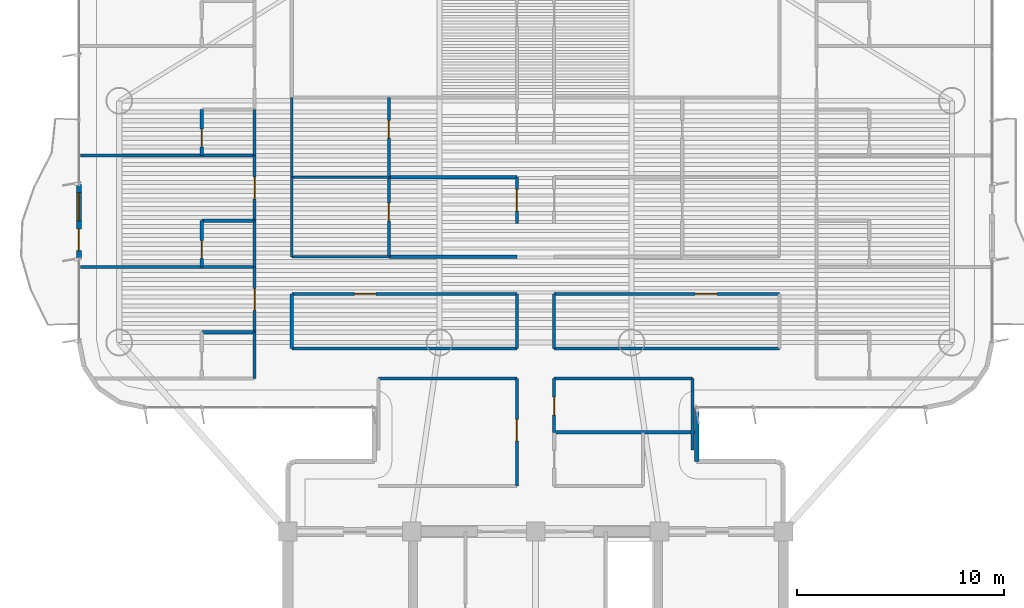
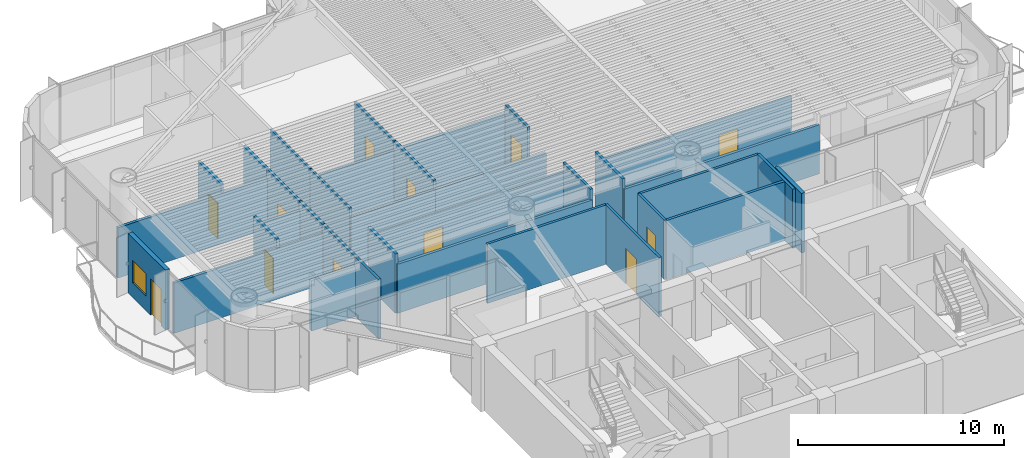
# One storey, part 10 of 17: 35 walls, 12 doors, 1 window, 13 openings.
"""IFC4 building model written with IfcOpenShell, lengths in metres."""

from ifc_helpers import new_model, si_unit, direction, frame, frame_2d, origin, origin_2d, place, context, subcontext, project, spatial, rectangle, extrude, source, transform, mapped, material, layer, layer_set, type_object, element, fill, save


model = new_model("IFC4")

# Units and contexts
model_context = context("Model", 3, precision=1e-05, world=origin(), true_north=direction((0.0, 1.0)))
body_context = subcontext(model_context, "Body", "Model", "MODEL_VIEW")
ifc_project = project(units=[si_unit("LENGTHUNIT", "METRE"), si_unit("AREAUNIT", "SQUARE_METRE"), si_unit("VOLUMEUNIT", "CUBIC_METRE"), si_unit("PLANEANGLEUNIT", "RADIAN"), si_unit("MASSUNIT", "GRAM", prefix="KILO")], contexts=[model_context])

# Site, building, storey
site_placement = place(None, origin())
site = spatial("IfcSite", under=ifc_project, at=site_placement, CompositionType="ELEMENT")
building_placement = place(site_placement, origin())
building = spatial("IfcBuilding", under=site, at=building_placement, Name="Brelvock Crest Care Tower", CompositionType="ELEMENT")
storey_placement = place(building_placement, frame((0.0, 0.0, 127.6201171875)))
storey = spatial("IfcBuildingStorey", under=building, at=storey_placement, Name="L32", CompositionType="ELEMENT", Elevation=127.6201171875)

# Wall, openings, door, window
ifc_material_1 = material(Name="Precast concrete N40 (40 MPa)", Category="concrete")
ifc_layer_1 = layer(ifc_material_1, 0.239990234375, Name="WL-EX1")
ifc_layer_set_1 = layer_set([ifc_layer_1], Name="Precast concrete N40 (40 MPa)")
wall_type_1 = type_object("IfcWallType", Name="WL-EX1", PredefinedType="SOLIDWALL", material=ifc_layer_set_1)
wall_1_placement = place(storey_placement, frame((13.89990234375, 31.199951171875, 0.0), z_axis=(0.0, 0.0, 1.0), x_axis=(0.0, 1.0, 0.0)))
wall_1 = element("IfcWall", 1, at=wall_1_placement, inside=storey, type_object=wall_type_1, Name="L32 Exterior Spandrel Wall WL-BAL-L32-W", PredefinedType="SOLIDWALL", context=body_context, shape_type="SweptSolid", body=[
    extrude(rectangle(XDim=3.60009765625, YDim=0.239990234375, at=frame_2d((1.800048828125, 0.0))), origin(), (0.0, 0.0, 1.0), 3.52978515625),
])
opening_1_placement = place(wall_1_placement, frame((0.39990234375, 0.0, 0.0)))
opening_1 = element("IfcOpeningElement", 2, at=opening_1_placement, cuts=wall_1, Name="Opening BD-1", PredefinedType="OPENING", context=body_context, shape_type="SweptSolid", body=[
    extrude(rectangle(XDim=1.050048828125, YDim=2.14990234375, at=origin_2d()), frame((0.52490234375, 0.1298828125, 1.074951171875), z_axis=(0.0, -1.0, 0.0), x_axis=(1.0, 0.0, 0.0)), (0.0, 0.0, 1.0), 0.260009765625),
])
opening_2_placement = place(wall_1_placement, frame((1.85009765625, 0.0, 0.85009765625)))
opening_2 = element("IfcOpeningElement", 3, at=opening_2_placement, cuts=wall_1, Name="Opening W-01", PredefinedType="OPENING", context=body_context, shape_type="SweptSolid", body=[
    extrude(rectangle(XDim=1.35009765625, YDim=1.35009765625, at=origin_2d()), frame((0.675048828125, 0.1298828125, 0.675048828125), z_axis=(0.0, -1.0, 0.0), x_axis=(1.0, 0.0, 0.0)), (0.0, 0.0, 1.0), 0.260009765625),
])
ifc_material_2 = material(Name="Dark Glass Double Glazed Low-E", Category="glass")
door_type_1 = type_object("IfcDoorType", Name="DR-BAL1", OperationType="NOTDEFINED", PredefinedType="DOOR", material=ifc_material_2)
shared_shape_1 = source(origin(), body_context, "Body", "SweptSolid", [
    extrude(rectangle(XDim=1.050048828125, YDim=2.14990234375, at=origin_2d()), frame((0.52490234375, 0.02490234375, 1.074951171875), z_axis=(0.0, -1.0, 0.0), x_axis=(1.0, 0.0, 0.0)), (0.0, 0.0, 1.0), 0.050048828125),
])
door_1_placement = place(opening_1_placement, origin())
door_1 = element("IfcDoor", 4, at=door_1_placement, inside=storey, type_object=door_type_1, Name="L32 W Wave Balcony Glazed Door", OperationType="SINGLE_SWING_LEFT", OverallHeight=2.14990234375, OverallWidth=1.050048828125, PredefinedType="DOOR", context=body_context, shape_type="MappedRepresentation", body=[
    mapped(shared_shape_1, transform((0.0, 0.0, 0.0), x_axis=(1.0, 0.0, 0.0), y_axis=(0.0, 1.0, 0.0), z_axis=(0.0, 0.0, 1.0), scale=1.0)),
])
fill(opening_1, door_1)
window_type = type_object("IfcWindowType", Name="WN-EX1", PartitioningType="SINGLE_PANEL", PredefinedType="WINDOW", material=ifc_material_2)
shared_shape_2 = source(origin(), body_context, "Body", "SweptSolid", [
    extrude(rectangle(XDim=1.35009765625, YDim=1.35009765625, at=origin_2d()), frame((0.675048828125, 0.030029296875, 0.675048828125), z_axis=(0.0, -1.0, 0.0), x_axis=(1.0, 0.0, 0.0)), (0.0, 0.0, 1.0), 0.06005859375),
])
window_placement = place(opening_2_placement, origin())
window = element("IfcWindow", 5, at=window_placement, inside=storey, type_object=window_type, Name="L32 W Suite Casement Window", OverallHeight=1.35009765625, OverallWidth=1.35009765625, PartitioningType="SINGLE_PANEL", PredefinedType="WINDOW", context=body_context, shape_type="MappedRepresentation", body=[
    mapped(shared_shape_2, transform((0.0, 0.0, 0.0), x_axis=(1.0, 0.0, 0.0), y_axis=(0.0, 1.0, 0.0), z_axis=(0.0, 0.0, 1.0), scale=1.0)),
])
fill(opening_2, window)

# Walls
ifc_layer_2 = layer(ifc_material_1, 0.215087890625, Name="WL-EX2")
ifc_layer_set_2 = layer_set([ifc_layer_2], Name="Precast concrete N40 (40 MPa)")
wall_type_2 = type_object("IfcWallType", Name="WL-EX2", PredefinedType="SOLIDWALL", material=ifc_layer_set_2)
wall_2_placement = place(storey_placement, frame((43.800048828125, 24.0, 0.0), z_axis=(0.0, 0.0, 1.0), x_axis=(0.0, -1.0, 0.0)))
element("IfcWall", 6, at=wall_2_placement, inside=storey, type_object=wall_type_2, Name="L32 Rounded Corner Wall 45", PredefinedType="SOLIDWALL", context=body_context, shape_type="SweptSolid", body=[
    extrude(rectangle(XDim=2.60009765625, YDim=0.215087890625, at=frame_2d((1.300048828125, 0.0))), origin(), (0.0, 0.0, 1.0), 3.52978515625),
])
ifc_material_3 = material(Name="Masonry Blockwork Acoustic Partition", Category="masonry")
ifc_layer_3 = layer(ifc_material_3, 0.14990234375, Name="WL-INT1")
ifc_layer_set_3 = layer_set([ifc_layer_3], Name="Masonry Blockwork Acoustic Partition")
wall_type_3 = type_object("IfcWallType", Name="WL-INT1", PredefinedType="PARTITIONING", material=ifc_layer_set_3)
for number, where, z_axis, x_axis, name in (
    (7, (28.39990234375, 25.39990234375, 0.0), (0.0, 0.0, 1.0), (1.0, 0.0, 0.0), "L32 Interior Wall WL-BX-L32-THW-N"),
    (8, (36.89990234375, 25.39990234375, 0.0), (0.0, 0.0, 1.0), (1.0, 0.0, 0.0), "L32 Interior Wall WL-BX-L32-THE2-N"),
):
    element("IfcWall", number, at=place(storey_placement, frame(where, z_axis=z_axis, x_axis=x_axis)), inside=storey, type_object=wall_type_3, Name=name, PredefinedType="PARTITIONING", context=body_context, shape_type="SweptSolid", body=[
        extrude(rectangle(XDim=6.7001953125, YDim=0.14990234375, at=frame_2d((3.35009765625, 0.0))), origin(), (0.0, 0.0, 1.0), 3.5),
    ])
for number, where, z_axis, x_axis, name in (
    (9, (24.199951171875, 26.85009765625, 0.0), (0.0, 0.0, 1.0), (1.0, 0.0, 0.0), "L32 Interior Wall WL-BX-L32-ISWM-S"),
    (10, (36.89990234375, 26.85009765625, 0.0), (0.0, 0.0, 1.0), (1.0, 0.0, 0.0), "L32 Interior Wall WL-BX-L32-ISEM-S"),
):
    element("IfcWall", number, at=place(storey_placement, frame(where, z_axis=z_axis, x_axis=x_axis)), inside=storey, type_object=wall_type_3, Name=name, PredefinedType="PARTITIONING", context=body_context, shape_type="SweptSolid", body=[
        extrude(rectangle(XDim=10.900146484375, YDim=0.14990234375, at=frame_2d((5.4501953125, 0.0))), origin(), (0.0, 0.0, 1.0), 2.90283203125),
    ])

# Wall, opening, door
wall_3_placement = place(storey_placement, frame((24.199951171875, 29.5, 0.0), z_axis=(0.0, 0.0, 1.0), x_axis=(1.0, 0.0, 0.0)))
wall_3 = element("IfcWall", 11, at=wall_3_placement, inside=storey, type_object=wall_type_3, Name="L32 Interior Wall WL-RM-L32-ISWM", PredefinedType="PARTITIONING", context=body_context, shape_type="SweptSolid", body=[
    extrude(rectangle(XDim=10.900146484375, YDim=0.14990234375, at=frame_2d((5.4501953125, 0.0))), origin(), (0.0, 0.0, 1.0), 2.98193359375),
])
opening_3_placement = place(wall_3_placement, frame((3.02490234375, 0.0, 0.0)))
opening_3 = element("IfcOpeningElement", 12, at=opening_3_placement, cuts=wall_3, Name="Opening CD-1", PredefinedType="OPENING", context=body_context, shape_type="SweptSolid", body=[
    extrude(rectangle(XDim=1.050048828125, YDim=2.10009765625, at=origin_2d()), frame((0.52490234375, 0.0849609375, 1.050048828125), z_axis=(0.0, -1.0, 0.0), x_axis=(1.0, 0.0, 0.0)), (0.0, 0.0, 1.0), 0.169921875),
])
ifc_material_4 = material(Name="Engineered Hardwood Timber", Category="wood")
door_type_2 = type_object("IfcDoorType", Name="DR-CARE1", OperationType="NOTDEFINED", PredefinedType="DOOR", material=ifc_material_4)
shared_shape_3 = source(origin(), body_context, "Body", "SweptSolid", [
    extrude(rectangle(XDim=1.050048828125, YDim=2.10009765625, at=origin_2d()), frame((0.52490234375, 0.02490234375, 1.050048828125), z_axis=(0.0, -1.0, 0.0), x_axis=(1.0, 0.0, 0.0)), (0.0, 0.0, 1.0), 0.050048828125),
])
door_2_placement = place(opening_3_placement, origin())
door_2 = element("IfcDoor", 13, at=door_2_placement, inside=storey, type_object=door_type_2, Name="L32 Sub-Acute Observation Ward West Door ISWM", OperationType="SINGLE_SWING_LEFT", OverallHeight=2.10009765625, OverallWidth=1.050048828125, PredefinedType="DOOR", context=body_context, shape_type="MappedRepresentation", body=[
    mapped(shared_shape_3, transform((0.0, 0.0, 0.0), x_axis=(1.0, 0.0, 0.0), y_axis=(0.0, 1.0, 0.0), z_axis=(0.0, 0.0, 1.0), scale=1.0)),
])
fill(opening_3, door_2)

wall_4_placement = place(storey_placement, frame((36.89990234375, 29.5, 0.0), z_axis=(0.0, 0.0, 1.0), x_axis=(1.0, 0.0, 0.0)))
wall_4 = element("IfcWall", 14, at=wall_4_placement, inside=storey, type_object=wall_type_3, Name="L32 Interior Wall WL-RM-L32-ISEM", PredefinedType="PARTITIONING", context=body_context, shape_type="SweptSolid", body=[
    extrude(rectangle(XDim=10.900146484375, YDim=0.14990234375, at=frame_2d((5.4501953125, 0.0))), origin(), (0.0, 0.0, 1.0), 2.98193359375),
])
opening_4_placement = place(wall_4_placement, frame((6.824951171875, 0.0, 0.0)))
opening_4 = element("IfcOpeningElement", 15, at=opening_4_placement, cuts=wall_4, Name="Opening CD-1", PredefinedType="OPENING", context=body_context, shape_type="SweptSolid", body=[
    extrude(rectangle(XDim=1.050048828125, YDim=2.10009765625, at=origin_2d()), frame((0.52490234375, 0.0849609375, 1.050048828125), z_axis=(0.0, -1.0, 0.0), x_axis=(1.0, 0.0, 0.0)), (0.0, 0.0, 1.0), 0.169921875),
])
door_3_placement = place(opening_4_placement, origin())
door_3 = element("IfcDoor", 16, at=door_3_placement, inside=storey, type_object=door_type_2, Name="L32 Sub-Acute Observation Ward East Door ISEM", OperationType="SINGLE_SWING_LEFT", OverallHeight=2.10009765625, OverallWidth=1.050048828125, PredefinedType="DOOR", context=body_context, shape_type="MappedRepresentation", body=[
    mapped(shared_shape_3, transform((0.0, 0.0, 0.0), x_axis=(1.0, 0.0, 0.0), y_axis=(0.0, 1.0, 0.0), z_axis=(0.0, 0.0, 1.0), scale=1.0)),
])
fill(opening_4, door_3)

# Walls
wall_5_placement = place(storey_placement, frame((13.97998046875, 30.800048828125, 0.0), z_axis=(0.0, 0.0, 1.0), x_axis=(1.0, 0.0, 0.0)))
element("IfcWall", 17, at=wall_5_placement, inside=storey, type_object=wall_type_3, Name="L32 Interior Wall WL-BX-L32-CS-SNW1-N", PredefinedType="PARTITIONING", context=body_context, shape_type="SweptSolid", body=[
    extrude(rectangle(XDim=8.419921875, YDim=0.14990234375, at=frame_2d((4.2099609375, 0.0))), origin(), (0.0, 0.0, 1.0), 2.98193359375),
])
for number, where, z_axis, x_axis, name in (
    (18, (28.89990234375, 31.300048828125, 0.0), (0.0, 0.0, 1.0), (1.0, 0.0, 0.0), "L32 Interior Wall WL-BX-L32-CS-INWS1A-S"),
    (19, (28.89990234375, 35.14990234375, 0.0), (0.0, 0.0, 1.0), (1.0, 0.0, 0.0), "L32 Interior Wall WL-BX-L32-CS-INWS1A-N"),
):
    element("IfcWall", number, at=place(storey_placement, frame(where, z_axis=z_axis, x_axis=x_axis)), inside=storey, type_object=wall_type_3, Name=name, PredefinedType="PARTITIONING", context=body_context, shape_type="SweptSolid", body=[
        extrude(rectangle(XDim=6.2001953125, YDim=0.14990234375, at=frame_2d((3.10009765625, 0.0))), origin(), (0.0, 0.0, 1.0), 2.98193359375),
    ])
wall_6_placement = place(storey_placement, frame((13.97998046875, 36.199951171875, 0.0), z_axis=(0.0, 0.0, 1.0), x_axis=(1.0, 0.0, 0.0)))
element("IfcWall", 20, at=wall_6_placement, inside=storey, type_object=wall_type_3, Name="L32 Interior Wall WL-BX-L32-CS-SNW2-N", PredefinedType="PARTITIONING", context=body_context, shape_type="SweptSolid", body=[
    extrude(rectangle(XDim=8.419921875, YDim=0.14990234375, at=frame_2d((4.2099609375, 0.0))), origin(), (0.0, 0.0, 1.0), 2.98193359375),
])

# Wall, opening, door
wall_7_placement = place(storey_placement, frame((22.39990234375, 27.64990234375, 0.0), z_axis=(0.0, 0.0, 1.0), x_axis=(0.0, 1.0, 0.0)))
wall_7 = element("IfcWall", 21, at=wall_7_placement, inside=storey, type_object=wall_type_3, Name="L32 Interior Wall WL-CENT-L32-SNW1", PredefinedType="PARTITIONING", context=body_context, shape_type="SweptSolid", body=[
    extrude(rectangle(XDim=3.150146484375, YDim=0.14990234375, at=frame_2d((1.5751953125, 0.0))), origin(), (0.0, 0.0, 1.0), 3.5),
])
opening_5_placement = place(wall_7_placement, frame((1.054931640625, 0.0, 0.0)))
opening_5 = element("IfcOpeningElement", 22, at=opening_5_placement, cuts=wall_7, Name="Opening CD-1", PredefinedType="OPENING", context=body_context, shape_type="SweptSolid", body=[
    extrude(rectangle(XDim=1.050048828125, YDim=2.10009765625, at=origin_2d()), frame((0.52490234375, 0.0849609375, 1.050048828125), z_axis=(0.0, -1.0, 0.0), x_axis=(1.0, 0.0, 0.0)), (0.0, 0.0, 1.0), 0.169921875),
])
door_4_placement = place(opening_5_placement, origin())
door_4 = element("IfcDoor", 23, at=door_4_placement, inside=storey, type_object=door_type_2, Name="L32 Care Suite Door SNW1", OperationType="SINGLE_SWING_LEFT", OverallHeight=2.10009765625, OverallWidth=1.050048828125, PredefinedType="DOOR", context=body_context, shape_type="MappedRepresentation", body=[
    mapped(shared_shape_3, transform((0.0, 0.0, 0.0), x_axis=(1.0, 0.0, 0.0), y_axis=(0.0, 1.0, 0.0), z_axis=(0.0, 0.0, 1.0), scale=1.0)),
])
fill(opening_5, door_4)

wall_8_placement = place(storey_placement, frame((22.39990234375, 33.050048828125, 0.0), z_axis=(0.0, 0.0, 1.0), x_axis=(0.0, 1.0, 0.0)))
wall_8 = element("IfcWall", 24, at=wall_8_placement, inside=storey, type_object=wall_type_3, Name="L32 Interior Wall WL-CENT-L32-SNW2", PredefinedType="PARTITIONING", context=body_context, shape_type="SweptSolid", body=[
    extrude(rectangle(XDim=3.14990234375, YDim=0.14990234375, at=frame_2d((1.574951171875, 0.0))), origin(), (0.0, 0.0, 1.0), 3.5),
])
opening_6_placement = place(wall_8_placement, frame((1.054931640625, 0.0, 0.0)))
opening_6 = element("IfcOpeningElement", 25, at=opening_6_placement, cuts=wall_8, Name="Opening CD-1", PredefinedType="OPENING", context=body_context, shape_type="SweptSolid", body=[
    extrude(rectangle(XDim=1.050048828125, YDim=2.10009765625, at=origin_2d()), frame((0.52490234375, 0.0849609375, 1.050048828125), z_axis=(0.0, -1.0, 0.0), x_axis=(1.0, 0.0, 0.0)), (0.0, 0.0, 1.0), 0.169921875),
])
door_5_placement = place(opening_6_placement, origin())
door_5 = element("IfcDoor", 26, at=door_5_placement, inside=storey, type_object=door_type_2, Name="L32 Care Suite Door SNW2", OperationType="SINGLE_SWING_LEFT", OverallHeight=2.10009765625, OverallWidth=1.050048828125, PredefinedType="DOOR", context=body_context, shape_type="MappedRepresentation", body=[
    mapped(shared_shape_3, transform((0.0, 0.0, 0.0), x_axis=(1.0, 0.0, 0.0), y_axis=(0.0, 1.0, 0.0), z_axis=(0.0, 0.0, 1.0), scale=1.0)),
])
fill(opening_6, door_5)

# Wall
wall_9_placement = place(storey_placement, frame((24.199951171875, 26.85009765625, 0.0), z_axis=(0.0, 0.0, 1.0), x_axis=(0.0, 1.0, 0.0)))
element("IfcWall", 27, at=wall_9_placement, inside=storey, type_object=wall_type_3, Name="L32 Interior Wall WL-BX-L32-ISWM-W", PredefinedType="PARTITIONING", context=body_context, shape_type="SweptSolid", body=[
    extrude(rectangle(XDim=2.64990234375, YDim=0.14990234375, at=frame_2d((1.324951171875, 0.0))), origin(), (0.0, 0.0, 1.0), 3.5),
])

# Wall, opening, door
wall_10_placement = place(storey_placement, frame((28.89990234375, 31.300048828125, 0.0), z_axis=(0.0, 0.0, 1.0), x_axis=(0.0, 1.0, 0.0)))
wall_10 = element("IfcWall", 28, at=wall_10_placement, inside=storey, type_object=wall_type_3, Name="L32 Interior Wall WL-RM-L32-INWS1AS", PredefinedType="PARTITIONING", context=body_context, shape_type="SweptSolid", body=[
    extrude(rectangle(XDim=3.849853515625, YDim=0.14990234375, at=frame_2d((1.9248046875, 0.0))), origin(), (0.0, 0.0, 1.0), 3.5),
])
opening_7_placement = place(wall_10_placement, frame((1.739990234375, 0.0, 0.0)))
opening_7 = element("IfcOpeningElement", 29, at=opening_7_placement, cuts=wall_10, Name="Opening ID-1", PredefinedType="OPENING", context=body_context, shape_type="SweptSolid", body=[
    extrude(rectangle(XDim=0.860107421875, YDim=2.10009765625, at=origin_2d()), frame((0.43017578125, 0.0849609375, 1.050048828125), z_axis=(0.0, -1.0, 0.0), x_axis=(1.0, 0.0, 0.0)), (0.0, 0.0, 1.0), 0.169921875),
])
door_type_3 = type_object("IfcDoorType", Name="DR-INT1", OperationType="NOTDEFINED", PredefinedType="DOOR", material=ifc_material_4)
shared_shape_4 = source(origin(), body_context, "Body", "SweptSolid", [
    extrude(rectangle(XDim=0.860107421875, YDim=2.10009765625, at=origin_2d()), frame((0.43017578125, 0.02490234375, 1.050048828125), z_axis=(0.0, -1.0, 0.0), x_axis=(1.0, 0.0, 0.0)), (0.0, 0.0, 1.0), 0.050048828125),
])
door_6_placement = place(opening_7_placement, origin())
door_6 = element("IfcDoor", 30, at=door_6_placement, inside=storey, type_object=door_type_3, Name="L32 Skilled Nursing Mobility Store Door INWS1AS", OperationType="SINGLE_SWING_LEFT", OverallHeight=2.10009765625, OverallWidth=0.860107421875, PredefinedType="DOOR", context=body_context, shape_type="MappedRepresentation", body=[
    mapped(shared_shape_4, transform((0.0, 0.0, 0.0), x_axis=(1.0, 0.0, 0.0), y_axis=(0.0, 1.0, 0.0), z_axis=(0.0, 0.0, 1.0), scale=1.0)),
])
fill(opening_7, door_6)

wall_11_placement = place(storey_placement, frame((28.89990234375, 35.14990234375, 0.0), z_axis=(0.0, 0.0, 1.0), x_axis=(0.0, 1.0, 0.0)))
wall_11 = element("IfcWall", 31, at=wall_11_placement, inside=storey, type_object=wall_type_3, Name="L32 Interior Wall WL-RM-L32-INWS1BS", PredefinedType="PARTITIONING", context=body_context, shape_type="SweptSolid", body=[
    extrude(rectangle(XDim=3.85009765625, YDim=0.14990234375, at=frame_2d((1.925048828125, 0.0))), origin(), (0.0, 0.0, 1.0), 3.5),
])
opening_8_placement = place(wall_11_placement, frame((1.889892578125, 0.0, 0.0)))
opening_8 = element("IfcOpeningElement", 32, at=opening_8_placement, cuts=wall_11, Name="Opening ID-1", PredefinedType="OPENING", context=body_context, shape_type="SweptSolid", body=[
    extrude(rectangle(XDim=0.860107421875, YDim=2.10009765625, at=origin_2d()), frame((0.43017578125, 0.0849609375, 1.050048828125), z_axis=(0.0, -1.0, 0.0), x_axis=(1.0, 0.0, 0.0)), (0.0, 0.0, 1.0), 0.169921875),
])
door_7_placement = place(opening_8_placement, origin())
door_7 = element("IfcDoor", 33, at=door_7_placement, inside=storey, type_object=door_type_3, Name="L32 Skilled Nursing Mobility Store Door INWS1BS", OperationType="SINGLE_SWING_LEFT", OverallHeight=2.10009765625, OverallWidth=0.860107421875, PredefinedType="DOOR", context=body_context, shape_type="MappedRepresentation", body=[
    mapped(shared_shape_4, transform((0.0, 0.0, 0.0), x_axis=(1.0, 0.0, 0.0), y_axis=(0.0, 1.0, 0.0), z_axis=(0.0, 0.0, 1.0), scale=1.0)),
])
fill(opening_8, door_7)

wall_12_placement = place(storey_placement, frame((35.10009765625, 20.199951171875, 0.0), z_axis=(0.0, 0.0, 1.0), x_axis=(0.0, 1.0, 0.0)))
wall_12 = element("IfcWall", 34, at=wall_12_placement, inside=storey, type_object=wall_type_3, Name="L32 Interior Wall WL-RM-L32-THW", PredefinedType="PARTITIONING", context=body_context, shape_type="SweptSolid", body=[
    extrude(rectangle(XDim=5.199951171875, YDim=0.14990234375, at=frame_2d((2.60009765625, 0.0))), origin(), (0.0, 0.0, 1.0), 3.5),
])
opening_9_placement = place(wall_12_placement, frame((2.175048828125, 0.0, 0.0)))
opening_9 = element("IfcOpeningElement", 35, at=opening_9_placement, cuts=wall_12, Name="Opening CLD-1", PredefinedType="OPENING", context=body_context, shape_type="SweptSolid", body=[
    extrude(rectangle(XDim=1.050048828125, YDim=2.10009765625, at=origin_2d()), frame((0.52490234375, 0.0849609375, 1.050048828125), z_axis=(0.0, -1.0, 0.0), x_axis=(1.0, 0.0, 0.0)), (0.0, 0.0, 1.0), 0.169921875),
])
door_type_4 = type_object("IfcDoorType", Name="DR-CLN1", OperationType="NOTDEFINED", PredefinedType="DOOR", material=ifc_material_4)
shared_shape_5 = source(origin(), body_context, "Body", "SweptSolid", [
    extrude(rectangle(XDim=1.050048828125, YDim=2.10009765625, at=origin_2d()), frame((0.52490234375, 0.02490234375, 1.050048828125), z_axis=(0.0, -1.0, 0.0), x_axis=(1.0, 0.0, 0.0)), (0.0, 0.0, 1.0), 0.050048828125),
])
door_8_placement = place(opening_9_placement, origin())
door_8 = element("IfcDoor", 36, at=door_8_placement, inside=storey, type_object=door_type_4, Name="L32 Allied Health Consultation Room Door THW", OperationType="SINGLE_SWING_LEFT", OverallHeight=2.10009765625, OverallWidth=1.050048828125, PredefinedType="DOOR", context=body_context, shape_type="MappedRepresentation", body=[
    mapped(shared_shape_5, transform((0.0, 0.0, 0.0), x_axis=(1.0, 0.0, 0.0), y_axis=(0.0, 1.0, 0.0), z_axis=(0.0, 0.0, 1.0), scale=1.0)),
])
fill(opening_9, door_8)

# Wall
wall_13_placement = place(storey_placement, frame((35.10009765625, 26.85009765625, 0.0), z_axis=(0.0, 0.0, 1.0), x_axis=(0.0, 1.0, 0.0)))
element("IfcWall", 37, at=wall_13_placement, inside=storey, type_object=wall_type_3, Name="L32 Interior Wall WL-BX-L32-ISWM-E", PredefinedType="PARTITIONING", context=body_context, shape_type="SweptSolid", body=[
    extrude(rectangle(XDim=2.64990234375, YDim=0.14990234375, at=frame_2d((1.324951171875, 0.0))), origin(), (0.0, 0.0, 1.0), 3.5),
])

# Wall, opening, door
wall_14_placement = place(storey_placement, frame((35.10009765625, 32.9169921875, 0.0), z_axis=(0.0, 0.0, 1.0), x_axis=(0.0, 1.0, 0.0)))
wall_14 = element("IfcWall", 38, at=wall_14_placement, inside=storey, type_object=wall_type_3, Name="L32 Interior Wall WL-CENT-L32-INWS1A", PredefinedType="PARTITIONING", context=body_context, shape_type="SweptSolid", body=[
    extrude(rectangle(XDim=2.23291015625, YDim=0.14990234375, at=frame_2d((1.116455078125, 0.0))), origin(), (0.0, 0.0, 1.0), 3.5),
])
opening_10_placement = place(wall_14_placement, frame((0.595947265625, 0.0, 0.0)))
opening_10 = element("IfcOpeningElement", 39, at=opening_10_placement, cuts=wall_14, Name="Opening CD-1", PredefinedType="OPENING", context=body_context, shape_type="SweptSolid", body=[
    extrude(rectangle(XDim=1.050048828125, YDim=2.10009765625, at=origin_2d()), frame((0.52490234375, 0.0849609375, 1.050048828125), z_axis=(0.0, -1.0, 0.0), x_axis=(1.0, 0.0, 0.0)), (0.0, 0.0, 1.0), 0.169921875),
])
door_9_placement = place(opening_10_placement, origin())
door_9 = element("IfcDoor", 40, at=door_9_placement, inside=storey, type_object=door_type_2, Name="L32 Care Suite Door INWS1A", OperationType="SINGLE_SWING_LEFT", OverallHeight=2.10009765625, OverallWidth=1.050048828125, PredefinedType="DOOR", context=body_context, shape_type="MappedRepresentation", body=[
    mapped(shared_shape_3, transform((0.0, 0.0, 0.0), x_axis=(1.0, 0.0, 0.0), y_axis=(0.0, 1.0, 0.0), z_axis=(0.0, 0.0, 1.0), scale=1.0)),
])
fill(opening_10, door_9)

wall_15_placement = place(storey_placement, frame((36.89990234375, 22.800048828125, 0.0), z_axis=(0.0, 0.0, 1.0), x_axis=(0.0, 1.0, 0.0)))
wall_15 = element("IfcWall", 41, at=wall_15_placement, inside=storey, type_object=wall_type_3, Name="L32 Interior Wall WL-RM-L32-THE2", PredefinedType="PARTITIONING", context=body_context, shape_type="SweptSolid", body=[
    extrude(rectangle(XDim=2.599853515625, YDim=0.14990234375, at=frame_2d((1.2998046875, 0.0))), origin(), (0.0, 0.0, 1.0), 3.5),
])
opening_11_placement = place(wall_15_placement, frame((0.840087890625, 0.0, 0.0)))
opening_11 = element("IfcOpeningElement", 42, at=opening_11_placement, cuts=wall_15, Name="Opening ID-1", PredefinedType="OPENING", context=body_context, shape_type="SweptSolid", body=[
    extrude(rectangle(XDim=0.860107421875, YDim=2.10009765625, at=origin_2d()), frame((0.43017578125, 0.0849609375, 1.050048828125), z_axis=(0.0, -1.0, 0.0), x_axis=(1.0, 0.0, 0.0)), (0.0, 0.0, 1.0), 0.169921875),
])
door_10_placement = place(opening_11_placement, origin())
door_10 = element("IfcDoor", 43, at=door_10_placement, inside=storey, type_object=door_type_3, Name="L32 Care Coordinator Office Door THE2", OperationType="SINGLE_SWING_LEFT", OverallHeight=2.10009765625, OverallWidth=0.860107421875, PredefinedType="DOOR", context=body_context, shape_type="MappedRepresentation", body=[
    mapped(shared_shape_4, transform((0.0, 0.0, 0.0), x_axis=(1.0, 0.0, 0.0), y_axis=(0.0, 1.0, 0.0), z_axis=(0.0, 0.0, 1.0), scale=1.0)),
])
fill(opening_11, door_10)

# Walls
wall_16_placement = place(storey_placement, frame((36.89990234375, 26.85009765625, 0.0), z_axis=(0.0, 0.0, 1.0), x_axis=(0.0, 1.0, 0.0)))
element("IfcWall", 44, at=wall_16_placement, inside=storey, type_object=wall_type_3, Name="L32 Interior Wall WL-BX-L32-ISEM-W", PredefinedType="PARTITIONING", context=body_context, shape_type="SweptSolid", body=[
    extrude(rectangle(XDim=2.64990234375, YDim=0.14990234375, at=frame_2d((1.324951171875, 0.0))), origin(), (0.0, 0.0, 1.0), 3.5),
])
wall_17_placement = place(storey_placement, frame((43.60009765625, 21.95751953125, 0.0), z_axis=(0.0, 0.0, 1.0), x_axis=(0.0, 1.0, 0.0)))
element("IfcWall", 45, at=wall_17_placement, inside=storey, type_object=wall_type_3, Name="L32 Interior Wall WL-BX-L32-THE2-E", PredefinedType="PARTITIONING", context=body_context, shape_type="SweptSolid", body=[
    extrude(rectangle(XDim=3.4423828125, YDim=0.14990234375, at=frame_2d((1.72119140625, 0.0))), origin(), (0.0, 0.0, 1.0), 3.5),
])
ifc_material_5 = material(Name="Gypsum Plasterboard Partition", Category="gypsum")
ifc_layer_4 = layer(ifc_material_5, 0.1201171875, Name="WL-INT2")
ifc_layer_set_4 = layer_set([ifc_layer_4], Name="Gypsum Plasterboard Partition")
wall_type_4 = type_object("IfcWallType", Name="WL-INT2", PredefinedType="PARTITIONING", material=ifc_layer_set_4)
for number, where, z_axis, x_axis, name in (
    (46, (24.199951171875, 31.300048828125, 0.0), (0.0, 0.0, 1.0), (1.0, 0.0, 0.0), "L32 Interior Wall WL-BX-L32-INWS1AS-S"),
    (47, (24.199951171875, 35.14990234375, 0.0), (0.0, 0.0, 1.0), (1.0, 0.0, 0.0), "L32 Interior Wall WL-BX-L32-INWS1AS-N"),
):
    element("IfcWall", number, at=place(storey_placement, frame(where, z_axis=z_axis, x_axis=x_axis)), inside=storey, type_object=wall_type_4, Name=name, PredefinedType="PARTITIONING", context=body_context, shape_type="SweptSolid", body=[
        extrude(rectangle(XDim=4.699951171875, YDim=0.1201171875, at=frame_2d((2.35009765625, 0.0))), origin(), (0.0, 0.0, 1.0), 2.98193359375),
    ])
wall_18_placement = place(storey_placement, frame((24.199951171875, 31.300048828125, 0.0), z_axis=(0.0, 0.0, 1.0), x_axis=(0.0, 1.0, 0.0)))
element("IfcWall", 48, at=wall_18_placement, inside=storey, type_object=wall_type_4, Name="L32 Interior Wall WL-BX-L32-INWS1AS-W", PredefinedType="PARTITIONING", context=body_context, shape_type="SweptSolid", body=[
    extrude(rectangle(XDim=3.849853515625, YDim=0.1201171875, at=frame_2d((1.9248046875, 0.0))), origin(), (0.0, 0.0, 1.0), 3.5),
])
wall_19_placement = place(storey_placement, frame((24.199951171875, 35.14990234375, 0.0), z_axis=(0.0, 0.0, 1.0), x_axis=(0.0, 1.0, 0.0)))
element("IfcWall", 49, at=wall_19_placement, inside=storey, type_object=wall_type_4, Name="L32 Interior Wall WL-BX-L32-INWS1BS-W", PredefinedType="PARTITIONING", context=body_context, shape_type="SweptSolid", body=[
    extrude(rectangle(XDim=3.85009765625, YDim=0.1201171875, at=frame_2d((1.925048828125, 0.0))), origin(), (0.0, 0.0, 1.0), 3.5),
])
ifc_layer_5 = layer(ifc_material_5, 0.159912109375, Name="WL-PLM1")
ifc_layer_set_5 = layer_set([ifc_layer_5], Name="Gypsum Plasterboard Partition")
wall_type_5 = type_object("IfcWallType", Name="WL-PLM1", PredefinedType="PLUMBINGWALL", material=ifc_layer_set_5)
wall_20_placement = place(storey_placement, frame((36.89990234375, 22.800048828125, 0.0), z_axis=(0.0, 0.0, 1.0), x_axis=(1.0, 0.0, 0.0)))
element("IfcWall", 50, at=wall_20_placement, inside=storey, type_object=wall_type_5, Name="L32 Interior Wall WL-BX-L32-THE2-S", PredefinedType="PLUMBINGWALL", context=body_context, shape_type="SweptSolid", body=[
    extrude(rectangle(XDim=6.820068359375, YDim=0.159912109375, at=frame_2d((3.41015625, 0.0))), origin(), (0.0, 0.0, 1.0), 3.5),
])
for number, where, z_axis, x_axis, name in (
    (51, (19.85009765625, 27.64990234375, 0.0), (0.0, 0.0, 1.0), (1.0, 0.0, 0.0), "L32 Interior Wall WL-CENS2-L32-SNW1"),
    (52, (19.85009765625, 33.050048828125, 0.0), (0.0, 0.0, 1.0), (1.0, 0.0, 0.0), "L32 Interior Wall WL-CENS2-L32-SNW2"),
):
    element("IfcWall", number, at=place(storey_placement, frame(where, z_axis=z_axis, x_axis=x_axis)), inside=storey, type_object=wall_type_5, Name=name, PredefinedType="PLUMBINGWALL", context=body_context, shape_type="SweptSolid", body=[
        extrude(rectangle(XDim=2.5498046875, YDim=0.159912109375, at=frame_2d((1.27490234375, 0.0))), origin(), (0.0, 0.0, 1.0), 2.98193359375),
    ])

# Wall, opening, door
wall_21_placement = place(storey_placement, frame((19.85009765625, 30.800048828125, 0.0), z_axis=(0.0, 0.0, 1.0), x_axis=(0.0, 1.0, 0.0)))
wall_21 = element("IfcWall", 53, at=wall_21_placement, inside=storey, type_object=wall_type_5, Name="L32 Interior Wall WL-CENS1-L32-SNW2", PredefinedType="PLUMBINGWALL", context=body_context, shape_type="SweptSolid", body=[
    extrude(rectangle(XDim=2.25, YDim=0.159912109375, at=frame_2d((1.125, 0.0))), origin(), (0.0, 0.0, 1.0), 3.5),
])
opening_12_placement = place(wall_21_placement, frame((0.419921875, 0.0, 0.0)))
opening_12 = element("IfcOpeningElement", 54, at=opening_12_placement, cuts=wall_21, Name="Opening WD-1", PredefinedType="OPENING", context=body_context, shape_type="SweptSolid", body=[
    extrude(rectangle(XDim=0.860107421875, YDim=2.10009765625, at=origin_2d()), frame((0.43017578125, 0.08984375, 1.050048828125), z_axis=(0.0, -1.0, 0.0), x_axis=(1.0, 0.0, 0.0)), (0.0, 0.0, 1.0), 0.179931640625),
])
door_type_5 = type_object("IfcDoorType", Name="DR-WC1", OperationType="NOTDEFINED", PredefinedType="DOOR", material=ifc_material_4)
shared_shape_6 = source(origin(), body_context, "Body", "SweptSolid", [
    extrude(rectangle(XDim=0.860107421875, YDim=2.10009765625, at=origin_2d()), frame((0.43017578125, 0.02490234375, 1.050048828125), z_axis=(0.0, -1.0, 0.0), x_axis=(1.0, 0.0, 0.0)), (0.0, 0.0, 1.0), 0.050048828125),
])
door_11_placement = place(opening_12_placement, origin())
door_11 = element("IfcDoor", 55, at=door_11_placement, inside=storey, type_object=door_type_5, Name="L32 Care En-Suite Door SNW2", OperationType="SINGLE_SWING_LEFT", OverallHeight=2.10009765625, OverallWidth=0.860107421875, PredefinedType="DOOR", context=body_context, shape_type="MappedRepresentation", body=[
    mapped(shared_shape_6, transform((0.0, 0.0, 0.0), x_axis=(1.0, 0.0, 0.0), y_axis=(0.0, 1.0, 0.0), z_axis=(0.0, 0.0, 1.0), scale=1.0)),
])
fill(opening_12, door_11)

wall_22_placement = place(storey_placement, frame((19.85009765625, 36.199951171875, 0.0), z_axis=(0.0, 0.0, 1.0), x_axis=(0.0, 1.0, 0.0)))
wall_22 = element("IfcWall", 56, at=wall_22_placement, inside=storey, type_object=wall_type_5, Name="L32 Interior Wall WL-CENS1-L32-SNW3", PredefinedType="PLUMBINGWALL", context=body_context, shape_type="SweptSolid", body=[
    extrude(rectangle(XDim=2.22607421875, YDim=0.159912109375, at=frame_2d((1.113037109375, 0.0))), origin(), (0.0, 0.0, 1.0), 3.5),
])
opening_13_placement = place(wall_22_placement, frame((0.419921875, 0.0, 0.0)))
opening_13 = element("IfcOpeningElement", 57, at=opening_13_placement, cuts=wall_22, Name="Opening WD-1", PredefinedType="OPENING", context=body_context, shape_type="SweptSolid", body=[
    extrude(rectangle(XDim=0.860107421875, YDim=2.10009765625, at=origin_2d()), frame((0.43017578125, 0.08984375, 1.050048828125), z_axis=(0.0, -1.0, 0.0), x_axis=(1.0, 0.0, 0.0)), (0.0, 0.0, 1.0), 0.179931640625),
])
door_12_placement = place(opening_13_placement, origin())
door_12 = element("IfcDoor", 58, at=door_12_placement, inside=storey, type_object=door_type_5, Name="L32 Care En-Suite Door SNW3", OperationType="SINGLE_SWING_LEFT", OverallHeight=2.10009765625, OverallWidth=0.860107421875, PredefinedType="DOOR", context=body_context, shape_type="MappedRepresentation", body=[
    mapped(shared_shape_6, transform((0.0, 0.0, 0.0), x_axis=(1.0, 0.0, 0.0), y_axis=(0.0, 1.0, 0.0), z_axis=(0.0, 0.0, 1.0), scale=1.0)),
])
fill(opening_13, door_12)

# Walls
for number, where, z_axis, x_axis, name in (
    (59, (22.39990234375, 25.39990234375, 0.0), (0.0, 0.0, 1.0), (0.0, 1.0, 0.0), "L32 Interior Wall WL-CENS0-L32-SNW1"),
    (60, (22.39990234375, 30.800048828125, 0.0), (0.0, 0.0, 1.0), (0.0, 1.0, 0.0), "L32 Interior Wall WL-CENS0-L32-SNW2"),
):
    element("IfcWall", number, at=place(storey_placement, frame(where, z_axis=z_axis, x_axis=x_axis)), inside=storey, type_object=wall_type_5, Name=name, PredefinedType="PLUMBINGWALL", context=body_context, shape_type="SweptSolid", body=[
        extrude(rectangle(XDim=2.25, YDim=0.159912109375, at=frame_2d((1.125, 0.0))), origin(), (0.0, 0.0, 1.0), 3.5),
    ])
wall_23_placement = place(storey_placement, frame((22.39990234375, 36.199951171875, 0.0), z_axis=(0.0, 0.0, 1.0), x_axis=(0.0, 1.0, 0.0)))
element("IfcWall", 61, at=wall_23_placement, inside=storey, type_object=wall_type_5, Name="L32 Interior Wall WL-CENS0-L32-SNW3", PredefinedType="PLUMBINGWALL", context=body_context, shape_type="SweptSolid", body=[
    extrude(rectangle(XDim=2.22607421875, YDim=0.159912109375, at=frame_2d((1.113037109375, 0.0))), origin(), (0.0, 0.0, 1.0), 3.5),
])

save(model, "model.ifc")
